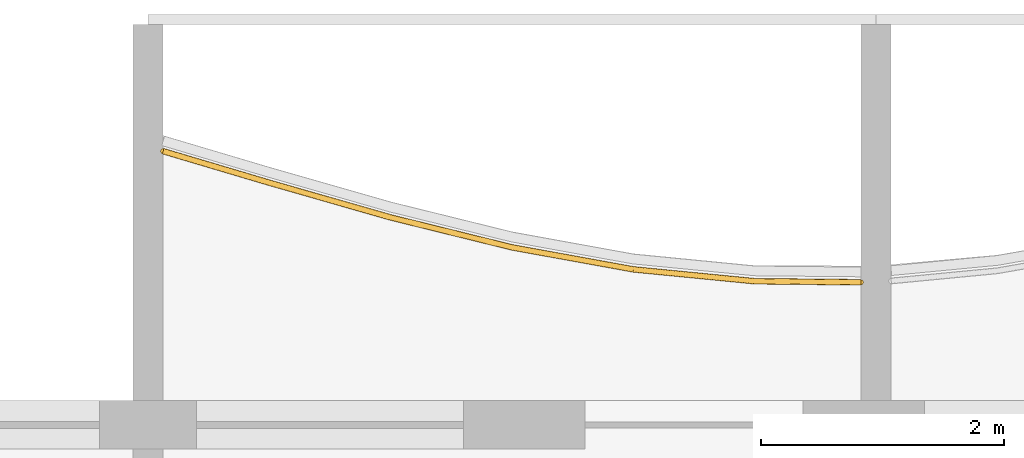
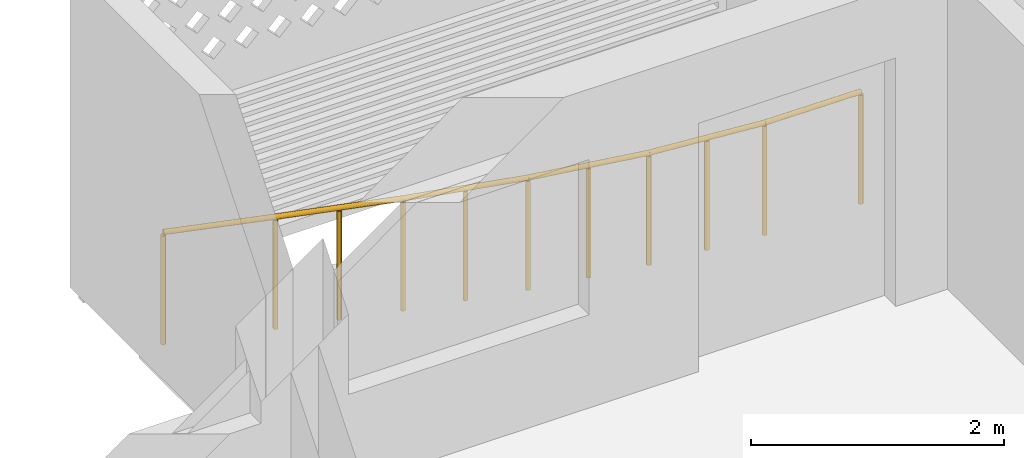
# One storey, part 21 of 26: 1 railing.
"""IFC4 building model written with IfcOpenShell, lengths in metres."""

from ifc_helpers import new_model, si_unit, direction, frame, origin, origin_2d, place, context, subcontext, project, spatial, circle, extrude, material, type_object, element, save


model = new_model("IFC4")

# Units and contexts
model_context = context("Model", 3, precision=1e-05, world=origin(), true_north=direction((0.0, 1.0)))
body_context = subcontext(model_context, "Body", "Model", "MODEL_VIEW")
ifc_project = project(units=[si_unit("LENGTHUNIT", "METRE"), si_unit("AREAUNIT", "SQUARE_METRE"), si_unit("VOLUMEUNIT", "CUBIC_METRE"), si_unit("PLANEANGLEUNIT", "RADIAN"), si_unit("MASSUNIT", "GRAM", prefix="KILO")], contexts=[model_context])

# Site, building, storey
site_placement = place(None, origin())
site = spatial("IfcSite", under=ifc_project, at=site_placement, CompositionType="ELEMENT")
building_placement = place(site_placement, origin())
building = spatial("IfcBuilding", under=site, at=building_placement, Name="Poui Terraces", CompositionType="ELEMENT")
storey_placement = place(building_placement, frame((0.0, 0.0, 228.0)))
storey = spatial("IfcBuildingStorey", under=building, at=storey_placement, Name="L63", CompositionType="ELEMENT", Elevation=228.0)

# Railing
ifc_material = material(Name="Painted steel fretwork", Category="steel")
railing_type = type_object("IfcRailingType", Name="BALCONY GUARD 1100", PredefinedType="GUARDRAIL", material=ifc_material)
railing_placement = place(storey_placement, frame((60.125, 43.45556640625, 0.0)))
element("IfcRailing", 1, at=railing_placement, inside=storey, type_object=railing_type, Name="BALCONY GUARD", PredefinedType="GUARDRAIL", context=body_context, shape_type="SweptSolid", body=[
    extrude(circle(Radius=0.02392578125, at=origin_2d()), frame((0.0, 0.0, 1.076171875), z_axis=(0.958646866278, -0.284598288426, 0.0), x_axis=(0.284598288426, 0.958646866278, 0.0)), (0.0, 0.0, 1.0), 0.912841796875),
    extrude(circle(Radius=0.02392578125, at=origin_2d()), frame((0.875, -0.259765625, 1.076171875), z_axis=(0.96141758688, -0.275093118121, 0.0), x_axis=(0.275093118121, 0.96141758688, 0.0)), (0.0, 0.0, 1.0), 1.0400390625),
    extrude(circle(Radius=0.02392578125, at=origin_2d()), frame((1.875, -0.5458984375, 1.076171875), z_axis=(0.970918311966, -0.239411009542, 0.0), x_axis=(0.239411009542, 0.970918311966, 0.0)), (0.0, 0.0, 1.0), 1.030029296875),
    extrude(circle(Radius=0.02392578125, at=origin_2d()), frame((2.875, -0.79248046875, 1.076171875), z_axis=(0.983942855126, -0.178483774746, 0.0), x_axis=(0.178483774746, 0.983942855126, 0.0)), (0.0, 0.0, 1.0), 1.016357421875),
    extrude(circle(Radius=0.02392578125, at=origin_2d()), frame((3.875, -0.973876953125, 1.076171875), z_axis=(0.995265465661, -0.097193893131, 0.0), x_axis=(0.097193893131, 0.995265465661, 0.0)), (0.0, 0.0, 1.0), 1.004638671875),
    extrude(circle(Radius=0.02392578125, at=origin_2d()), frame((4.875, -1.071533203125, 1.076171875), z_axis=(0.999949556392, -0.010044136169, 0.0), x_axis=(0.010044136169, 0.999949556392, 0.0)), (0.0, 0.0, 1.0), 0.875),
    extrude(circle(Radius=0.02099609375, at=origin_2d()), origin(), (0.0, 0.0, 1.0), 1.052001953125),
    extrude(circle(Radius=0.02099609375, at=origin_2d()), frame((0.875, -0.259765625, 0.0)), (0.0, 0.0, 1.0), 1.052001953125),
    extrude(circle(Radius=0.02099609375, at=origin_2d()), frame((1.375, -0.40283203125, 0.0)), (0.0, 0.0, 1.0), 1.052001953125),
    extrude(circle(Radius=0.02099609375, at=origin_2d()), frame((1.875, -0.5458984375, 0.0)), (0.0, 0.0, 1.0), 1.052001953125),
    extrude(circle(Radius=0.02099609375, at=origin_2d()), frame((2.375, -0.669189453125, 0.0)), (0.0, 0.0, 1.0), 1.052001953125),
    extrude(circle(Radius=0.02099609375, at=origin_2d()), frame((2.875, -0.79248046875, 0.0)), (0.0, 0.0, 1.0), 1.052001953125),
    extrude(circle(Radius=0.02099609375, at=origin_2d()), frame((3.375, -0.88330078125, 0.0)), (0.0, 0.0, 1.0), 1.052001953125),
    extrude(circle(Radius=0.02099609375, at=origin_2d()), frame((3.875, -0.973876953125, 0.0)), (0.0, 0.0, 1.0), 1.052001953125),
    extrude(circle(Radius=0.02099609375, at=origin_2d()), frame((4.375, -1.022705078125, 0.0)), (0.0, 0.0, 1.0), 1.052001953125),
    extrude(circle(Radius=0.02099609375, at=origin_2d()), frame((4.875, -1.071533203125, 0.0)), (0.0, 0.0, 1.0), 1.052001953125),
    extrude(circle(Radius=0.02099609375, at=origin_2d()), frame((5.75, -1.080322265625, 0.0)), (0.0, 0.0, 1.0), 1.052001953125),
])

save(model, "model.ifc")
